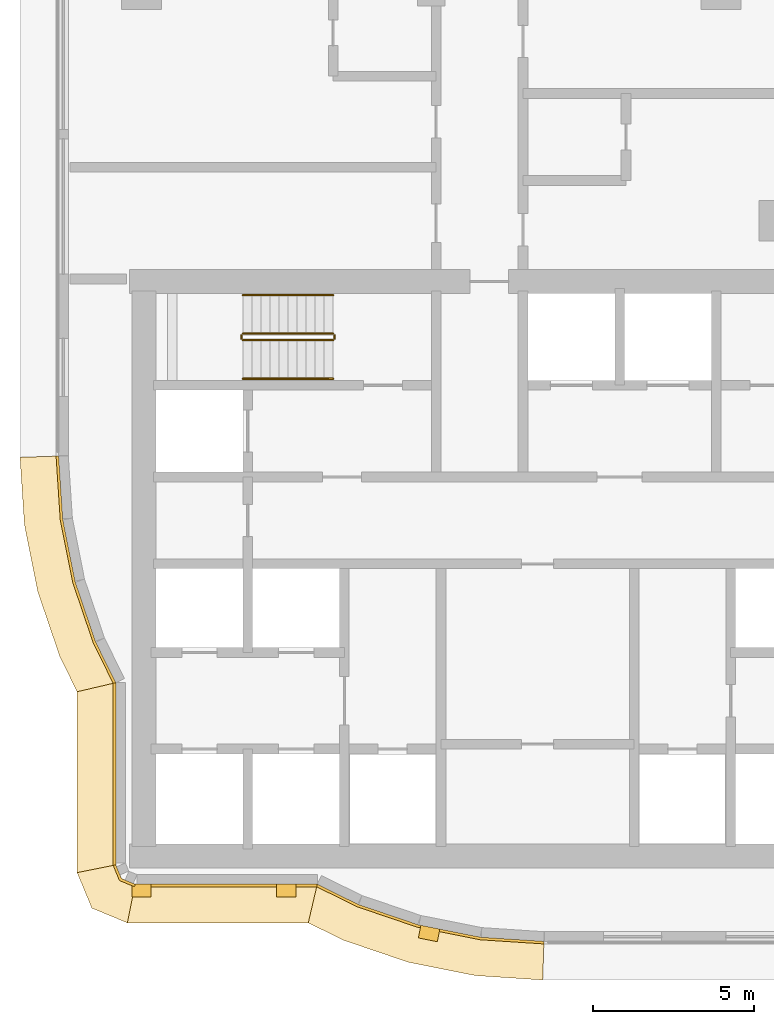
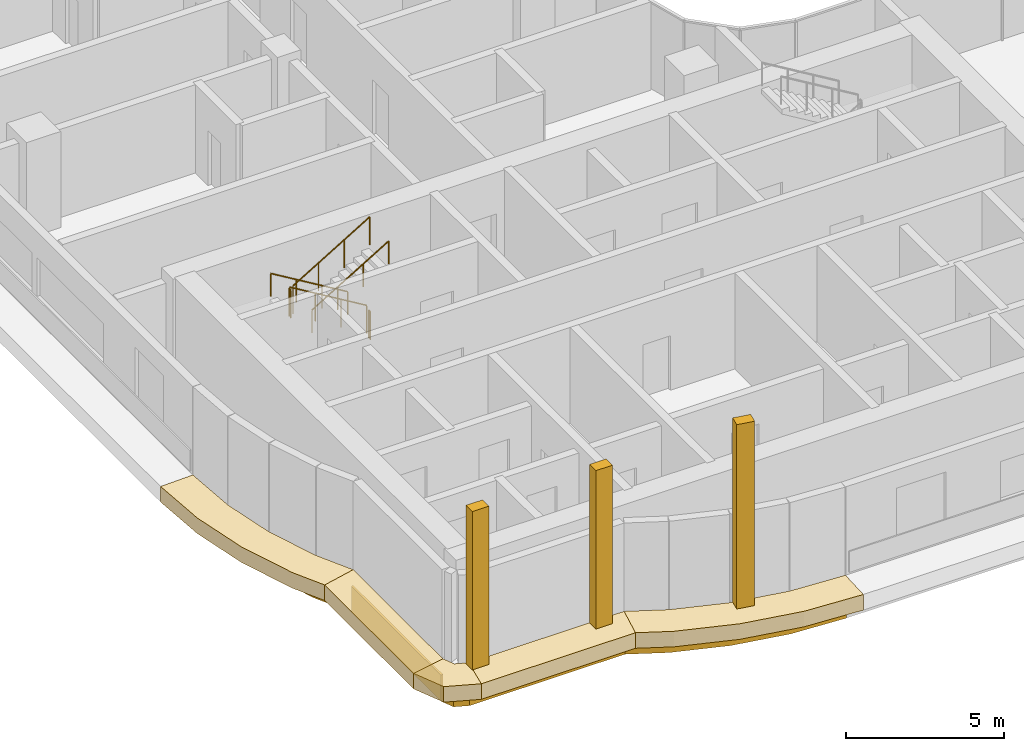
# One storey, part 19 of 25: 13 coverings, 6 railings.
"""IFC4 building model written with IfcOpenShell, lengths in metres."""

from ifc_helpers import new_model, si_unit, direction, frame, origin, origin_2d, place, context, subcontext, project, spatial, polyline, rectangle, circle, outline, extrude, material, layer, layer_set, type_object, element, save


model = new_model("IFC4")

# Units and contexts
model_context = context("Model", 3, precision=1e-05, world=origin(), true_north=direction((0.0, 1.0)))
body_context = subcontext(model_context, "Body", "Model", "MODEL_VIEW")
ifc_project = project(units=[si_unit("LENGTHUNIT", "METRE"), si_unit("AREAUNIT", "SQUARE_METRE"), si_unit("VOLUMEUNIT", "CUBIC_METRE"), si_unit("PLANEANGLEUNIT", "RADIAN"), si_unit("MASSUNIT", "GRAM", prefix="KILO")], contexts=[model_context])

# Site, building, storey
site_placement = place(None, origin())
site = spatial("IfcSite", under=ifc_project, at=site_placement, CompositionType="ELEMENT")
building_placement = place(site_placement, origin())
building = spatial("IfcBuilding", under=site, at=building_placement, Name="Ogive Portal Towers", CompositionType="ELEMENT")
storey_placement = place(building_placement, frame((0.0, 0.0, 116.699951171875)))
storey = spatial("IfcBuildingStorey", under=building, at=storey_placement, Name="L28", CompositionType="ELEMENT", Elevation=116.699951171875)

# Railings
ifc_material_1 = material(Name="Stainless steel balustrade", Category="steel")
railing_type_1 = type_object("IfcRailingType", Name="INT-GUARD", PredefinedType="GUARDRAIL", material=ifc_material_1)
railing_1_placement = place(storey_placement, frame((37.449951171875, 37.800048828125, 0.168212890625)))
element("IfcRailing", 1, at=railing_1_placement, inside=storey, type_object=railing_type_1, Name="L28 ST-A1 stair guard 1", PredefinedType="GUARDRAIL", context=body_context, shape_type="SweptSolid", body=[
    extrude(circle(Radius=0.02392578125, at=origin_2d()), frame((0.0, 0.0, 1.076171875), z_axis=(-0.857242210791, 0.0, 0.514913383045), x_axis=(0.0, -1.0, 0.0)), (0.0, 0.0, 1.0), 3.266357421875),
    extrude(circle(Radius=0.02099609375, at=origin_2d()), origin(), (0.0, 0.0, 1.0), 1.052001953125),
    extrude(circle(Radius=0.02099609375, at=origin_2d()), frame((-0.933349609375, 0.0, 0.560546875)), (0.0, 0.0, 1.0), 1.052001953125),
    extrude(circle(Radius=0.02099609375, at=origin_2d()), frame((-1.86669921875, 0.0, 1.121337890625)), (0.0, 0.0, 1.0), 1.052001953125),
    extrude(circle(Radius=0.02099609375, at=origin_2d()), frame((-2.800048828125, 0.0, 1.681884765625)), (0.0, 0.0, 1.0), 1.052001953125),
])
railing_2_placement = place(storey_placement, frame((34.60009765625, 37.75, 1.85009765625)))
element("IfcRailing", 2, at=railing_2_placement, inside=storey, type_object=railing_type_1, Name="L28 ST-A1 stair guard 2", PredefinedType="GUARDRAIL", context=body_context, shape_type="SweptSolid", body=[
    extrude(circle(Radius=0.02392578125, at=origin_2d()), frame((0.0, 0.0, 1.076171875), z_axis=(0.0, -1.0, 0.0), x_axis=(1.0, 0.0, 0.0)), (0.0, 0.0, 1.0), 0.10009765625),
    extrude(circle(Radius=0.02099609375, at=origin_2d()), origin(), (0.0, 0.0, 1.0), 1.052001953125),
    extrude(circle(Radius=0.02099609375, at=origin_2d()), frame((0.0, -0.10009765625, 0.0)), (0.0, 0.0, 1.0), 1.052001953125),
])
railing_3_placement = place(storey_placement, frame((34.64990234375, 37.60009765625, 2.018310546875)))
element("IfcRailing", 3, at=railing_3_placement, inside=storey, type_object=railing_type_1, Name="L28 ST-A1 stair guard 3", PredefinedType="GUARDRAIL", context=body_context, shape_type="SweptSolid", body=[
    extrude(circle(Radius=0.02392578125, at=origin_2d()), frame((0.0, 0.0, 1.076171875), z_axis=(0.857275202839, 0.0, 0.514858452973), x_axis=(0.0, 1.0, 0.0)), (0.0, 0.0, 1.0), 3.26611328125),
    extrude(circle(Radius=0.02099609375, at=origin_2d()), origin(), (0.0, 0.0, 1.0), 1.052001953125),
    extrude(circle(Radius=0.02099609375, at=origin_2d()), frame((0.933349609375, 0.0, 0.560546875)), (0.0, 0.0, 1.0), 1.052001953125),
    extrude(circle(Radius=0.02099609375, at=origin_2d()), frame((1.86669921875, 0.0, 1.12109375)), (0.0, 0.0, 1.0), 1.052001953125),
    extrude(circle(Radius=0.02099609375, at=origin_2d()), frame((2.800048828125, 0.0, 1.681640625)), (0.0, 0.0, 1.0), 1.052001953125),
])
railing_4_placement = place(storey_placement, frame((37.5, 37.75, 0.0)))
element("IfcRailing", 4, at=railing_4_placement, inside=storey, type_object=railing_type_1, Name="L28 ST-A1 stair guard 4", PredefinedType="GUARDRAIL", context=body_context, shape_type="SweptSolid", body=[
    extrude(circle(Radius=0.02392578125, at=origin_2d()), frame((0.0, 0.0, 1.076171875), z_axis=(0.0, -1.0, 0.0), x_axis=(1.0, 0.0, 0.0)), (0.0, 0.0, 1.0), 0.10009765625),
    extrude(circle(Radius=0.02099609375, at=origin_2d()), origin(), (0.0, 0.0, 1.0), 1.052001953125),
    extrude(circle(Radius=0.02099609375, at=origin_2d()), frame((0.0, -0.10009765625, 0.0)), (0.0, 0.0, 1.0), 1.052001953125),
])
ifc_material_2 = material(Name="Stainless steel handrail", Category="steel")
railing_type_2 = type_object("IfcRailingType", Name="INT-HANDRAIL", PredefinedType="HANDRAIL", material=ifc_material_2)
railing_5_placement = place(storey_placement, frame((37.449951171875, 39.0, 0.168212890625)))
element("IfcRailing", 5, at=railing_5_placement, inside=storey, type_object=railing_type_2, Name="L28 ST-A1 stair handrail 1", PredefinedType="HANDRAIL", context=body_context, shape_type="SweptSolid", body=[
    extrude(circle(Radius=0.02392578125, at=origin_2d()), frame((0.0, 0.0, 0.8759765625), z_axis=(-0.857242210791, 0.0, 0.514913383045), x_axis=(0.0, -1.0, 0.0)), (0.0, 0.0, 1.0), 3.266357421875),
    extrude(circle(Radius=0.02099609375, at=origin_2d()), origin(), (0.0, 0.0, 1.0), 0.851806640625),
    extrude(circle(Radius=0.02099609375, at=origin_2d()), frame((-0.933349609375, 0.0, 0.560546875)), (0.0, 0.0, 1.0), 0.851806640625),
    extrude(circle(Radius=0.02099609375, at=origin_2d()), frame((-1.86669921875, 0.0, 1.121337890625)), (0.0, 0.0, 1.0), 0.851806640625),
    extrude(circle(Radius=0.02099609375, at=origin_2d()), frame((-2.800048828125, 0.0, 1.681884765625)), (0.0, 0.0, 1.0), 0.851806640625),
])
railing_6_placement = place(storey_placement, frame((34.64990234375, 36.39990234375, 2.018310546875)))
element("IfcRailing", 6, at=railing_6_placement, inside=storey, type_object=railing_type_2, Name="L28 ST-A1 stair handrail 2", PredefinedType="HANDRAIL", context=body_context, shape_type="SweptSolid", body=[
    extrude(circle(Radius=0.02392578125, at=origin_2d()), frame((0.0, 0.0, 0.8759765625), z_axis=(0.857275202839, 0.0, 0.514858452973), x_axis=(0.0, 1.0, 0.0)), (0.0, 0.0, 1.0), 3.26611328125),
    extrude(circle(Radius=0.02099609375, at=origin_2d()), origin(), (0.0, 0.0, 1.0), 0.851806640625),
    extrude(circle(Radius=0.02099609375, at=origin_2d()), frame((0.933349609375, 0.0, 0.560546875)), (0.0, 0.0, 1.0), 0.851806640625),
    extrude(circle(Radius=0.02099609375, at=origin_2d()), frame((1.86669921875, 0.0, 1.12109375)), (0.0, 0.0, 1.0), 0.851806640625),
    extrude(circle(Radius=0.02099609375, at=origin_2d()), frame((2.800048828125, 0.0, 1.681640625)), (0.0, 0.0, 1.0), 0.851806640625),
])

# Coverings
ifc_material_3 = material(Name="Limestone cladding on lightweight block wall", Category="masonry")
ifc_layer_1 = layer(ifc_material_3, 0.39990234375)
ifc_layer_set_1 = layer_set([ifc_layer_1], Name="SPINE PIER STONE")
covering_type_1 = type_object("IfcCoveringType", Name="SPINE PIER STONE", PredefinedType="CLADDING", material=ifc_layer_set_1)
for number, where, z_axis, x_axis, name in (
    (7, (31.5, 20.5, 0.0), (0.0, 0.0, 1.0), (1.0, 0.0, 0.0), "SPINE PIER"),
    (8, (36.0, 20.5, 0.0), (0.0, 0.0, 1.0), (1.0, 0.0, 0.0), "SPINE PIER"),
):
    element("IfcCovering", number, at=place(storey_placement, frame(where, z_axis=z_axis, x_axis=x_axis)), inside=storey, type_object=covering_type_1, Name=name, PredefinedType="CLADDING", context=body_context, shape_type="SweptSolid", body=[
        extrude(rectangle(XDim=0.60009765625, YDim=0.39990234375, at=origin_2d()), origin(), (0.0, 0.0, 1.0), 6.10009765625),
    ])
covering_1_placement = place(storey_placement, frame((40.431640625, 19.16845703125, 0.0), z_axis=(0.0, 0.0, 1.0), x_axis=(0.980785280403, -0.195090322016, 0.0)))
element("IfcCovering", 9, at=covering_1_placement, inside=storey, type_object=covering_type_1, Name="SPINE PIER", PredefinedType="CLADDING", context=body_context, shape_type="SweptSolid", body=[
    extrude(rectangle(XDim=0.60009765625, YDim=0.39990234375, at=origin_2d()), origin(), (0.0, 0.0, 1.0), 7.10009765625),
])
ifc_layer_2 = layer(ifc_material_3, 0.080078125)
ifc_layer_set_2 = layer_set([ifc_layer_2], Name="STONE SPANDREL 80")
covering_type_2 = type_object("IfcCoveringType", Name="STONE SPANDREL 80", PredefinedType="CLADDING", material=ifc_layer_set_2)
covering_2_placement = place(storey_placement, frame((0.0, 0.0, -1.599853515625)))
element("IfcCovering", 10, at=covering_2_placement, inside=storey, type_object=covering_type_2, Name="Stone spandrel A1-F01", PredefinedType="CLADDING", context=body_context, shape_type="SweptSolid", body=[
    extrude(outline(polyline([(30.699951171875, 26.958740234375), (30.699951171875, 21.300048828125), (30.6201171875, 21.2841796875), (30.6201171875, 26.93994140625), (30.699951171875, 26.958740234375)])), origin(), (0.0, 0.0, 1.0), 1.0),
])
covering_3_placement = place(storey_placement, frame((0.0, 0.0, -1.599853515625)))
element("IfcCovering", 11, at=covering_3_placement, inside=storey, type_object=covering_type_2, Name="Stone spandrel A1-F02", PredefinedType="CLADDING", context=body_context, shape_type="SweptSolid", body=[
    extrude(outline(polyline([(30.699951171875, 21.300048828125), (30.875732421875, 20.875732421875), (31.300048828125, 20.699951171875), (31.2841796875, 20.6201171875), (30.814453125, 20.814453125), (30.6201171875, 21.2841796875), (30.699951171875, 21.300048828125)])), origin(), (0.0, 0.0, 1.0), 1.0),
])
covering_4_placement = place(storey_placement, frame((0.0, 0.0, -1.599853515625)))
element("IfcCovering", 12, at=covering_4_placement, inside=storey, type_object=covering_type_2, Name="Stone spandrel A1-F03", PredefinedType="CLADDING", context=body_context, shape_type="SweptSolid", body=[
    extrude(outline(polyline([(31.300048828125, 20.699951171875), (36.958740234375, 20.699951171875), (36.93994140625, 20.6201171875), (31.2841796875, 20.6201171875), (31.300048828125, 20.699951171875)])), origin(), (0.0, 0.0, 1.0), 1.0),
])
covering_5_placement = place(storey_placement, frame((0.0, 0.0, -1.599853515625)))
element("IfcCovering", 13, at=covering_5_placement, inside=storey, type_object=covering_type_2, Name="Stone spandrel A1-F04", PredefinedType="CLADDING", context=body_context, shape_type="SweptSolid", body=[
    extrude(outline(polyline([(36.958740234375, 20.699951171875), (38.23095703125, 20.072509765625), (40.098388671875, 19.438720703125), (42.0322265625, 19.053955078125), (44.0, 18.925048828125), (43.997314453125, 18.844970703125), (42.02197265625, 18.974365234375), (40.07763671875, 19.361328125), (38.200439453125, 19.99853515625), (36.93994140625, 20.6201171875), (36.958740234375, 20.699951171875)])), origin(), (0.0, 0.0, 1.0), 1.0),
])
covering_6_placement = place(storey_placement, frame((0.0, 0.0, -1.599853515625)))
element("IfcCovering", 14, at=covering_6_placement, inside=storey, type_object=covering_type_2, Name="Stone spandrel A1-F14", PredefinedType="CLADDING", context=body_context, shape_type="SweptSolid", body=[
    extrude(outline(polyline([(28.925048828125, 34.0), (29.053955078125, 32.0322265625), (29.438720703125, 30.098388671875), (30.072509765625, 28.23095703125), (30.699951171875, 26.958740234375), (30.6201171875, 26.93994140625), (29.99853515625, 28.200439453125), (29.361328125, 30.07763671875), (28.974365234375, 32.02197265625), (28.844970703125, 33.997314453125), (28.925048828125, 34.0)])), origin(), (0.0, 0.0, 1.0), 1.0),
])
ifc_layer_3 = layer(ifc_material_3, 0.60009765625)
ifc_layer_set_3 = layer_set([ifc_layer_3], Name="SUNSHADE LIP 600")
covering_type_3 = type_object("IfcCoveringType", Name="SUNSHADE LIP 600", PredefinedType="CLADDING", material=ifc_layer_set_3)
covering_7_placement = place(storey_placement, frame((0.0, 0.0, -0.599853515625)))
element("IfcCovering", 15, at=covering_7_placement, inside=storey, type_object=covering_type_3, Name="Sunshade lip A1-F01", PredefinedType="CLADDING", context=body_context, shape_type="SweptSolid", body=[
    extrude(outline(polyline([(30.699951171875, 26.958740234375), (30.699951171875, 21.300048828125), (29.5, 21.061279296875), (29.5, 26.678955078125), (30.699951171875, 26.958740234375)])), origin(), (0.0, 0.0, 1.0), 0.599853515625),
])
covering_8_placement = place(storey_placement, frame((0.0, 0.0, -0.599853515625)))
element("IfcCovering", 16, at=covering_8_placement, inside=storey, type_object=covering_type_3, Name="Sunshade lip A1-F02", PredefinedType="CLADDING", context=body_context, shape_type="SweptSolid", body=[
    extrude(outline(polyline([(30.699951171875, 21.300048828125), (30.875732421875, 20.875732421875), (31.300048828125, 20.699951171875), (31.061279296875, 19.5), (29.957275390625, 19.957275390625), (29.5, 21.061279296875), (30.699951171875, 21.300048828125)])), origin(), (0.0, 0.0, 1.0), 0.599853515625),
])
covering_9_placement = place(storey_placement, frame((0.0, 0.0, -0.599853515625)))
element("IfcCovering", 17, at=covering_9_placement, inside=storey, type_object=covering_type_3, Name="Sunshade lip A1-F03", PredefinedType="CLADDING", context=body_context, shape_type="SweptSolid", body=[
    extrude(outline(polyline([(31.300048828125, 20.699951171875), (36.958740234375, 20.699951171875), (36.678955078125, 19.5), (31.061279296875, 19.5), (31.300048828125, 20.699951171875)])), origin(), (0.0, 0.0, 1.0), 0.599853515625),
])
covering_10_placement = place(storey_placement, frame((0.0, 0.0, -0.599853515625)))
element("IfcCovering", 18, at=covering_10_placement, inside=storey, type_object=covering_type_3, Name="Sunshade lip A1-F04", PredefinedType="CLADDING", context=body_context, shape_type="SweptSolid", body=[
    extrude(outline(polyline([(36.958740234375, 20.699951171875), (38.23095703125, 20.072509765625), (40.098388671875, 19.438720703125), (42.0322265625, 19.053955078125), (44.0, 18.925048828125), (43.960693359375, 17.72509765625), (41.875244140625, 17.861572265625), (39.787109375, 18.277099609375), (37.770751953125, 18.96142578125), (36.678955078125, 19.5), (36.958740234375, 20.699951171875)])), origin(), (0.0, 0.0, 1.0), 0.599853515625),
])
covering_11_placement = place(storey_placement, frame((0.0, 0.0, -0.599853515625)))
element("IfcCovering", 19, at=covering_11_placement, inside=storey, type_object=covering_type_3, Name="Sunshade lip A1-F14", PredefinedType="CLADDING", context=body_context, shape_type="SweptSolid", body=[
    extrude(outline(polyline([(28.925048828125, 34.0), (29.053955078125, 32.0322265625), (29.438720703125, 30.098388671875), (30.072509765625, 28.23095703125), (30.699951171875, 26.958740234375), (29.5, 26.678955078125), (28.96142578125, 27.770751953125), (28.277099609375, 29.787109375), (27.861572265625, 31.875244140625), (27.72509765625, 33.960693359375), (28.925048828125, 34.0)])), origin(), (0.0, 0.0, 1.0), 0.599853515625),
])

save(model, "model.ifc")
